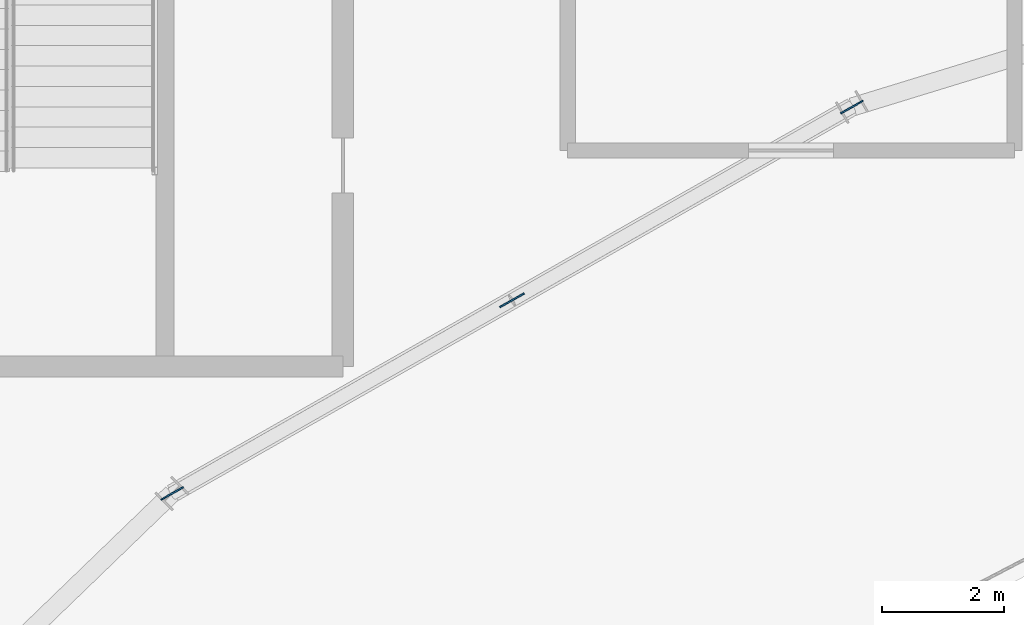
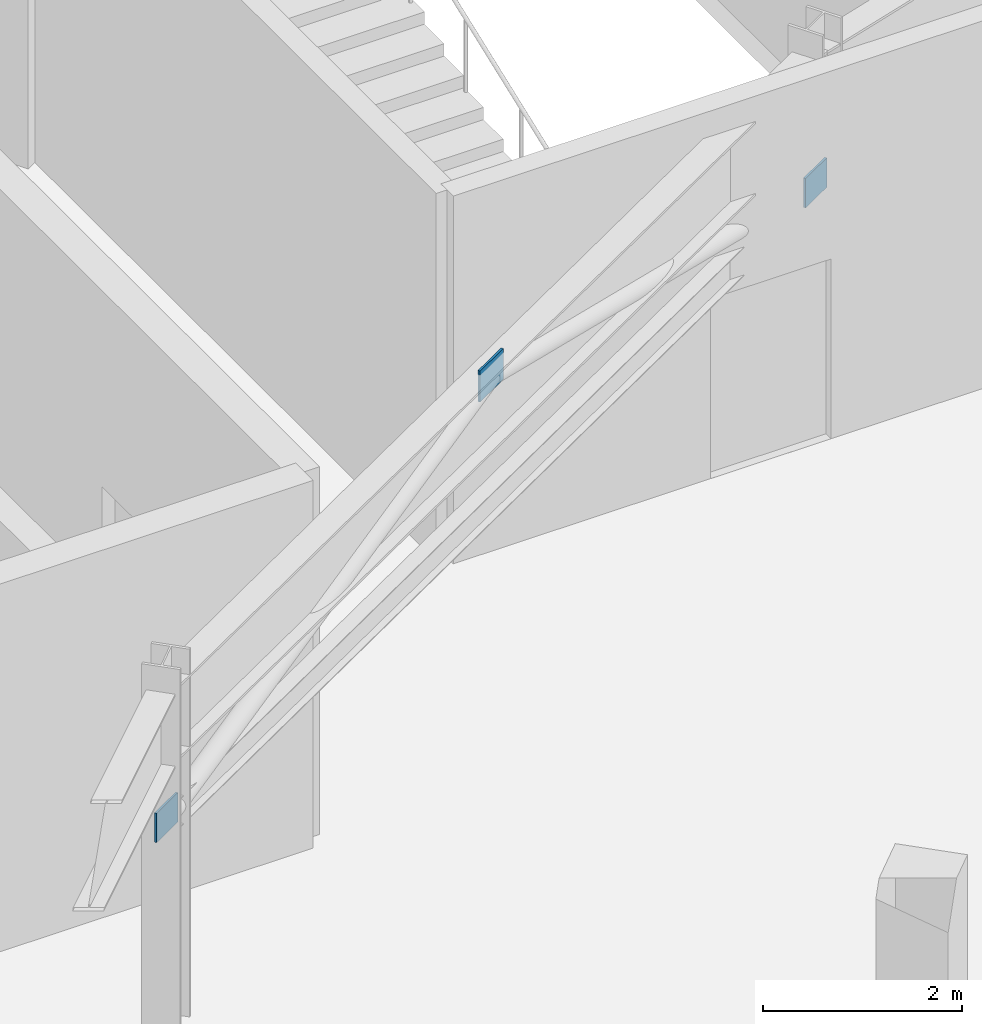
# One storey, part 81 of 123: 3 plates.
"""IFC4 building model written with IfcOpenShell, lengths in metres."""

from ifc_helpers import new_model, si_unit, direction, frame, origin, origin_2d, place, context, subcontext, project, spatial, rectangle, extrude, material, layer, layer_set, type_object, element, save


model = new_model("IFC4")

# Units and contexts
model_context = context("Model", 3, precision=1e-05, world=origin(), true_north=direction((0.0, 1.0)))
body_context = subcontext(model_context, "Body", "Model", "MODEL_VIEW")
ifc_project = project(units=[si_unit("LENGTHUNIT", "METRE"), si_unit("AREAUNIT", "SQUARE_METRE"), si_unit("VOLUMEUNIT", "CUBIC_METRE"), si_unit("PLANEANGLEUNIT", "RADIAN"), si_unit("MASSUNIT", "GRAM", prefix="KILO")], contexts=[model_context])

# Site, building, storey
site_placement = place(None, origin())
site = spatial("IfcSite", under=ifc_project, at=site_placement, CompositionType="ELEMENT")
building_placement = place(site_placement, origin())
building = spatial("IfcBuilding", under=site, at=building_placement, Name="Kalgoora Escarpment Arena", CompositionType="ELEMENT")
storey_placement = place(building_placement, frame((0.0, 0.0, 9.89990234375)))
storey = spatial("IfcBuildingStorey", under=building, at=storey_placement, Name="L02", CompositionType="ELEMENT", Elevation=9.89990234375)

# Plates
ifc_material = material(Name="Structural steel Grade 350 (350 MPa)", Category="steel")
ifc_layer = layer(ifc_material, 0.02490234375)
ifc_layer_set = layer_set([ifc_layer], Name="PLT-GUSSET-25")
plate_type = type_object("IfcPlateType", Name="PLT-GUSSET-25", PredefinedType="USERDEFINED", material=ifc_layer_set)
plate_placement = place(storey_placement, frame((59.80810546875, 95.462646484375, 3.860107421875), z_axis=(0.0, 0.0, 1.0), x_axis=(-0.869408707144, -0.494093614554, 0.0)))
element("IfcPlate", 1, at=plate_placement, inside=storey, type_object=plate_type, Name="L02 chevron gusset cap plate R09", ObjectType="FLANGE PLATE", PredefinedType="USERDEFINED", context=body_context, shape_type="SweptSolid", body=[
    extrude(rectangle(XDim=0.4599609375, YDim=0.02490234375, at=origin_2d()), origin(), (0.0, 0.0, 1.0), 0.3798828125),
])
for number, where, z_axis, x_axis, name in (
    (2, (65.39990234375, 98.64111328125, 2.33984375), (0.0, 0.0, 1.0), (-0.869494929505, -0.493941866584, 0.0), "Brace and post end gusset plate 019"),
    (3, (54.21630859375, 92.2841796875, 2.33984375), (0.0, 0.0, 1.0), (0.869494929505, 0.493941866584, 0.0), "Brace and post end gusset plate 020"),
):
    element("IfcPlate", number, at=place(storey_placement, frame(where, z_axis=z_axis, x_axis=x_axis)), inside=storey, type_object=plate_type, Name=name, ObjectType="FLANGE PLATE", PredefinedType="USERDEFINED", context=body_context, shape_type="SweptSolid", body=[
        extrude(rectangle(XDim=0.419921875, YDim=0.02490234375, at=origin_2d()), origin(), (0.0, 0.0, 1.0), 0.360107421875),
    ])

save(model, "model.ifc")
